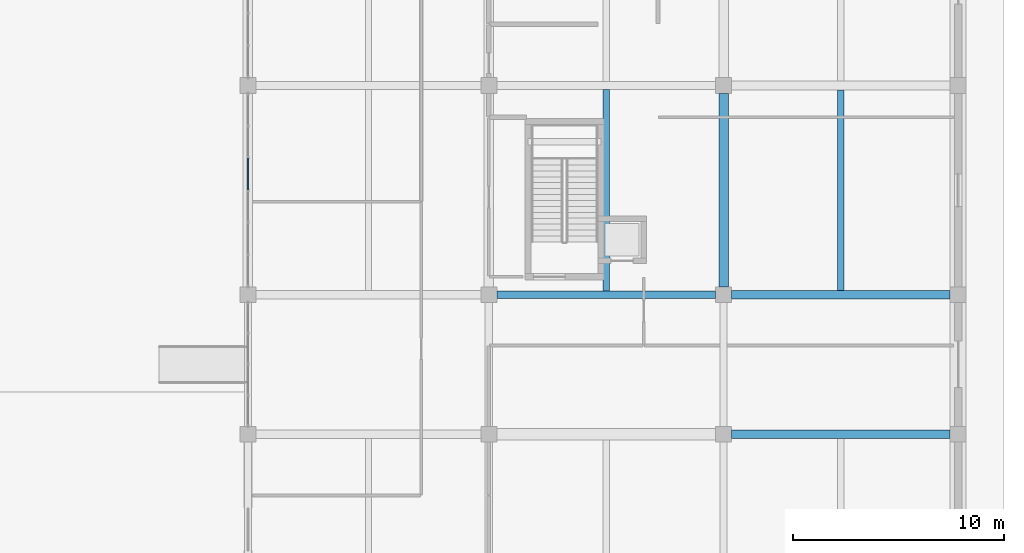
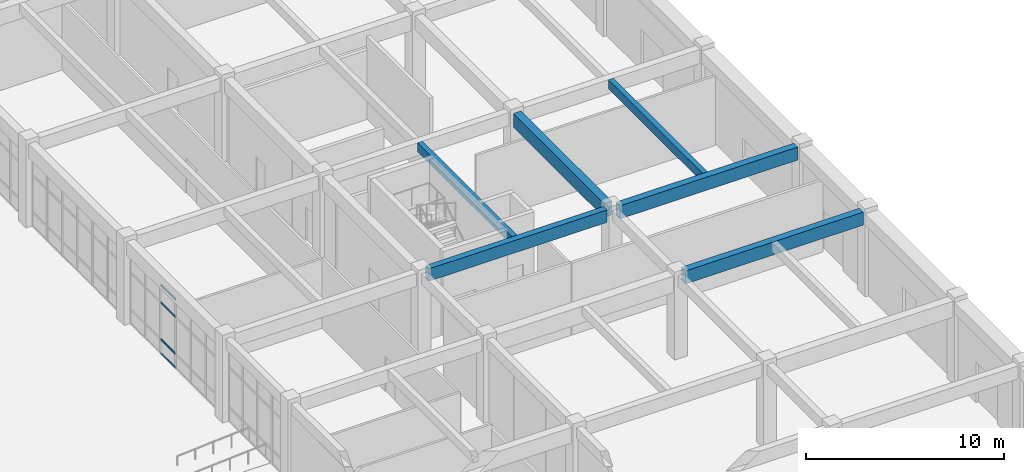
# One storey, part 29 of 70: 6 beams, 4 members, 1 element without a shape of its own.
"""IFC4 building model written with IfcOpenShell, lengths in metres."""

import ifcopenshell
import ifcopenshell.guid

model = None  # the IFC model being written
_history = None  # IfcOwnerHistory: only IFC2X3 demands one
_inside = {}  # id of a spatial element -> (the spatial element, [elements in it])
_under = {}  # id of a project, library or spatial element -> (it, [spatial elements below it])
_declared = {}  # id of a project -> (the project, [libraries it declares])
_typed = {}  # id of a type object -> (the type object, [elements of that type])
_made_of = {}  # id of a material, layer set ... -> (it, [elements and type objects made of it])


def new_model(schema):
    """Start an empty IFC model of exactly this schema.

    Asked for "IFC4X3", IfcOpenShell would pick the latest addendum, in which some entities
    have other attributes; the version numbers below select the first issue.
    IFC2X3 requires an IfcOwnerHistory on every rooted entity: one is made here for all.
    """
    global model, _history
    if schema == "IFC4X3":
        model = ifcopenshell.file(schema_version=(4, 3, 0, 0))
    else:
        model = ifcopenshell.file(schema=schema)
    _inside.clear()
    _under.clear()
    _declared.clear()
    _typed.clear()
    _made_of.clear()
    _history = None
    if model.schema == "IFC2X3":
        org = make("IfcOrganization", Name="unknown")
        user = make(
            "IfcPersonAndOrganization",
            ThePerson=make("IfcPerson", FamilyName="unknown"),
            TheOrganization=org,
        )
        app = make(
            "IfcApplication",
            ApplicationDeveloper=org,
            Version="unknown",
            ApplicationFullName="unknown",
            ApplicationIdentifier="unknown",
        )
        _history = make(
            "IfcOwnerHistory",
            OwningUser=user,
            OwningApplication=app,
            ChangeAction="ADDED",
            CreationDate=0,
        )
    return model


def make(cls, **values):
    """One entity of the class cls with the attributes given. An attribute that is None is left unset."""
    return model.create_entity(
        cls, **{name: value for name, value in values.items() if value is not None}
    )


def rooted(cls, **values):
    """An entity with a GlobalId (a new one), such as an element, a storey or a relation."""
    return make(cls, GlobalId=ifcopenshell.guid.new(), OwnerHistory=_history, **values)


def si_unit(unit_type, name, prefix=None):
    """IfcSIUnit, for example si_unit("LENGTHUNIT", "METRE", prefix="MILLI")."""
    return make("IfcSIUnit", UnitType=unit_type, Prefix=prefix, Name=name)


def assignment(units):
    """IfcUnitAssignment: the units of a project."""
    return None if units is None else make("IfcUnitAssignment", Units=units)


def point(xyz):
    """IfcCartesianPoint."""
    return None if xyz is None else make("IfcCartesianPoint", Coordinates=xyz)


def direction(xyz):
    """IfcDirection."""
    return None if xyz is None else make("IfcDirection", DirectionRatios=xyz)


def frame(location, z_axis=None, x_axis=None):
    """IfcAxis2Placement3D, a coordinate frame: its origin and axes. An axis left out is left unset."""
    return make(
        "IfcAxis2Placement3D",
        Location=point(location),
        Axis=direction(z_axis),
        RefDirection=direction(x_axis),
    )


def frame_2d(location, x_axis=None):
    """IfcAxis2Placement2D, a coordinate frame in the plane: its origin and x axis."""
    return make(
        "IfcAxis2Placement2D", Location=point(location), RefDirection=direction(x_axis)
    )


def origin():
    """The frame at (0, 0, 0) with its axes left unset."""
    return frame((0.0, 0.0, 0.0))


def origin_2d():
    """The frame at (0, 0) in the plane with its x axis left unset."""
    return frame_2d((0.0, 0.0))


def place(relative_to, where):
    """IfcLocalPlacement: puts the frame where relative to a parent placement (None: the world)."""
    return make(
        "IfcLocalPlacement", PlacementRelTo=relative_to, RelativePlacement=where
    )


def context(
    kind, dimensions, precision=None, world=None, true_north=None, identifier=None
):
    """IfcGeometricRepresentationContext, for example the 3D "Model" context."""
    return make(
        "IfcGeometricRepresentationContext",
        ContextIdentifier=identifier,
        ContextType=kind,
        CoordinateSpaceDimension=dimensions,
        Precision=precision,
        WorldCoordinateSystem=world,
        TrueNorth=true_north,
    )


def subcontext(parent, identifier, kind, view, scale=None):
    """IfcGeometricRepresentationSubContext, for example "Body" below "Model"."""
    return make(
        "IfcGeometricRepresentationSubContext",
        ContextIdentifier=identifier,
        ContextType=kind,
        ParentContext=parent,
        TargetScale=scale,
        TargetView=view,
    )


def project(units=None, contexts=None):
    """IfcProject with its units and contexts."""
    return rooted(
        "IfcProject",
        Name="project",
        RepresentationContexts=contexts,
        UnitsInContext=assignment(units),
    )


def spatial(cls, under=None, at=None, **own):
    """A site, building, storey or space (cls), placed at a placement, below another one or the project."""
    s = rooted(cls, ObjectPlacement=at, **own)
    if under is not None:
        _under.setdefault(under.id(), (under, []))[1].append(s)
    return s


def profile(cls, at=None, kind="AREA", **sizes):
    """A parametric profile (cls). Its sizes go by their IFC names, for example OverallWidth=200.0."""
    return make(cls, ProfileType=kind, Position=at, **sizes)


def rectangle(**sizes):
    """IfcRectangleProfileDef."""
    return profile("IfcRectangleProfileDef", **sizes)


def extrude(swept, where, along, depth):
    """IfcExtrudedAreaSolid: the profile swept, set in the frame where, extruded along a direction by depth."""
    return make(
        "IfcExtrudedAreaSolid",
        SweptArea=swept,
        Position=where,
        ExtrudedDirection=direction(along),
        Depth=depth,
    )


def shape(context_of_items, identifier, shape_type, items):
    """IfcShapeRepresentation: the items that make up one representation, for example the "Body"."""
    return make(
        "IfcShapeRepresentation",
        ContextOfItems=context_of_items,
        RepresentationIdentifier=identifier,
        RepresentationType=shape_type,
        Items=items,
    )


def material(Name=None, Category=None):
    """IfcMaterial."""
    return make("IfcMaterial", Name=Name, Category=Category)


def layer(
    of_material, thickness, ventilated=None, Name=None, Category=None, Priority=None
):
    """IfcMaterialLayer: one layer of a wall or slab, of a material (None: an air gap)."""
    return make(
        "IfcMaterialLayer",
        Material=of_material,
        LayerThickness=thickness,
        IsVentilated=ventilated,
        Name=Name,
        Category=Category,
        Priority=Priority,
    )


def layer_set(layers, Name=None):
    """IfcMaterialLayerSet."""
    return make("IfcMaterialLayerSet", MaterialLayers=layers, LayerSetName=Name)


def material_profile(
    of_material, cross_section, Name=None, Category=None, Priority=None
):
    """IfcMaterialProfile: a cross section and its material."""
    return make(
        "IfcMaterialProfile",
        Name=Name,
        Material=of_material,
        Profile=cross_section,
        Priority=Priority,
        Category=Category,
    )


def profile_set(profiles, Name=None, composite=None):
    """IfcMaterialProfileSet."""
    return make(
        "IfcMaterialProfileSet",
        Name=Name,
        MaterialProfiles=profiles,
        CompositeProfile=composite,
    )


def made_of(thing, what):
    """Note that an element or type object is made of a material, layer set ...; save() writes the relation."""
    if what is not None:
        _made_of.setdefault(what.id(), (what, []))[1].append(thing)
    return thing


def type_object(cls, material=None, **own):
    """A type object (cls), such as IfcWallType, which elements share."""
    return made_of(rooted(cls, **own), material)


def element(
    cls,
    number,
    at=None,
    inside=None,
    cuts=None,
    type_object=None,
    material=None,
    context=None,
    identifier="Body",
    shape_type=None,
    held_by="IfcProductDefinitionShape",
    body=None,
    shapes=None,
    **own,
):
    """One element of the class cls, such as IfcWall. Its Tag is "e" and its number.

    at: its placement. inside: the storey or other place that contains it. cuts: it is an
    opening in that element (IfcRelVoidsElement). A single representation is given by context,
    identifier, shape_type and body (its items); several are given by shapes. held_by: the class
    of the entity that holds the representations. save() writes the other relations.
    """
    e = rooted(cls, Tag="e%d" % number, ObjectPlacement=at, **own)
    if body is not None:
        shapes = [shape(context, identifier, shape_type, body)]
    if shapes is not None:
        e.Representation = make(held_by, Representations=shapes)
    if inside is not None:
        _inside.setdefault(inside.id(), (inside, []))[1].append(e)
    if cuts is not None:
        rooted(
            "IfcRelVoidsElement", RelatingBuildingElement=cuts, RelatedOpeningElement=e
        )
    if type_object is not None:
        _typed.setdefault(type_object.id(), (type_object, []))[1].append(e)
    return made_of(e, material)


def aggregate(whole, parts):
    """IfcRelAggregates: a whole, such as a stair, and the parts it consists of."""
    return rooted("IfcRelAggregates", RelatingObject=whole, RelatedObjects=parts)


def save(model, path):
    """Write the relations noted so far, then the file.

    IfcRelAggregates (storeys below a building ...), IfcRelContainedInSpatialStructure (elements
    in a storey), IfcRelDefinesByType, IfcRelAssociatesMaterial and IfcRelDeclares: one each for
    every whole, place, type object, material and project.
    """
    for whole, parts in _under.values():
        aggregate(whole, parts)
    for where, things in _inside.values():
        rooted(
            "IfcRelContainedInSpatialStructure",
            RelatedElements=things,
            RelatingStructure=where,
        )
    for kind, things in _typed.values():
        rooted("IfcRelDefinesByType", RelatedObjects=things, RelatingType=kind)
    for what, things in _made_of.values():
        rooted("IfcRelAssociatesMaterial", RelatedObjects=things, RelatingMaterial=what)
    for by, libraries in _declared.values():
        rooted("IfcRelDeclares", RelatingContext=by, RelatedDefinitions=libraries)
    model.write(path)


model = new_model("IFC4")

# Units and contexts
model_context = context("Model", 3, precision=1e-05, world=origin(), true_north=direction((0.0, 1.0)))
body_context = subcontext(model_context, "Body", "Model", "MODEL_VIEW")
ifc_project = project(units=[si_unit("LENGTHUNIT", "METRE"), si_unit("AREAUNIT", "SQUARE_METRE"), si_unit("VOLUMEUNIT", "CUBIC_METRE"), si_unit("PLANEANGLEUNIT", "RADIAN"), si_unit("MASSUNIT", "GRAM", prefix="KILO")], contexts=[model_context])

# Site, building, storey
site_placement = place(None, origin())
site = spatial("IfcSite", under=ifc_project, at=site_placement, CompositionType="ELEMENT")
building_placement = place(site_placement, origin())
building = spatial("IfcBuilding", under=site, at=building_placement, Name="Miralva Faculty of Natural Sciences", CompositionType="ELEMENT")
storey_placement = place(building_placement, origin())
storey = spatial("IfcBuildingStorey", under=building, at=storey_placement, Name="L00", CompositionType="ELEMENT", Elevation=0.0)

# Beams
ifc_material_1 = material(Name="Concrete C40/50", Category="concrete")
ifc_material_profile_1 = material_profile(ifc_material_1, rectangle(XDim=0.449951171875, YDim=0.85009765625, at=origin_2d()), Name="RC 450x850")
ifc_profile_set_1 = profile_set([ifc_material_profile_1], Name="Concrete C40/50")
beam_type_1 = type_object("IfcBeamType", Name="BM-B01", PredefinedType="BEAM", material=ifc_profile_set_1)
beam_1_placement = place(storey_placement, frame((156.300048828125, 45.97509765625, 4.695068359375), z_axis=(0.0, 1.0, 0.0), x_axis=(-1.0, 0.0, 0.0)))
element("IfcBeam", 1, at=beam_1_placement, inside=storey, type_object=beam_type_1, Name="Girder NS L00-203", PredefinedType="BEAM", context=body_context, shape_type="SweptSolid", body=[
    extrude(rectangle(XDim=0.449951171875, YDim=0.85009765625, at=origin_2d()), origin(), (0.0, 0.0, 1.0), 9.14990234375),
])
ifc_material_profile_2 = material_profile(ifc_material_1, rectangle(XDim=0.39990234375, YDim=0.800048828125, at=origin_2d()), Name="RC 400x800")
ifc_profile_set_2 = profile_set([ifc_material_profile_2], Name="Concrete C40/50")
beam_type_2 = type_object("IfcBeamType", Name="BM-B02", PredefinedType="BEAM", material=ifc_profile_set_2)
for number, where, z_axis, x_axis, name in (
    (2, (156.675048828125, 39.0, 4.719970703125), (1.0, 0.0, 0.0), (0.0, 1.0, 0.0), "Girder EW L00-44"),
    (3, (156.675048828125, 45.60009765625, 4.719970703125), (1.0, 0.0, 0.0), (0.0, 1.0, 0.0), "Girder EW L00-50"),
):
    element("IfcBeam", number, at=place(storey_placement, frame(where, z_axis=z_axis, x_axis=x_axis)), inside=storey, type_object=beam_type_2, Name=name, PredefinedType="BEAM", context=body_context, shape_type="SweptSolid", body=[
        extrude(rectangle(XDim=0.39990234375, YDim=0.800048828125, at=origin_2d()), origin(), (0.0, 0.0, 1.0), 10.349853515625),
    ])
ifc_material_profile_3 = material_profile(ifc_material_1, rectangle(XDim=0.360107421875, YDim=0.760009765625, at=origin_2d()), Name="RC 360x760")
ifc_profile_set_3 = profile_set([ifc_material_profile_3], Name="Concrete C40/50")
beam_type_3 = type_object("IfcBeamType", Name="BM-BG06", PredefinedType="BEAM", material=ifc_profile_set_3)
beam_2_placement = place(storey_placement, frame((145.574951171875, 45.60009765625, 4.739990234375), z_axis=(1.0, 0.0, 0.0), x_axis=(0.0, 1.0, 0.0)))
element("IfcBeam", 4, at=beam_2_placement, inside=storey, type_object=beam_type_3, Name="Girder EW L00-49", PredefinedType="BEAM", context=body_context, shape_type="SweptSolid", body=[
    extrude(rectangle(XDim=0.360107421875, YDim=0.760009765625, at=origin_2d()), origin(), (0.0, 0.0, 1.0), 10.35009765625),
])
ifc_material_profile_4 = material_profile(ifc_material_1, rectangle(XDim=0.300048828125, YDim=0.550048828125, at=origin_2d()), Name="RC 300x550")
ifc_profile_set_4 = profile_set([ifc_material_profile_4], Name="Concrete C40/50")
beam_type_4 = type_object("IfcBeamType", Name="BM-J02", PredefinedType="JOIST", material=ifc_profile_set_4)
beam_3_placement = place(storey_placement, frame((150.75, 45.780029296875, 4.844970703125), z_axis=(0.0, 1.0, 0.0), x_axis=(-1.0, 0.0, 0.0)))
element("IfcBeam", 5, at=beam_3_placement, inside=storey, type_object=beam_type_4, Name="Floor joist L00-15", PredefinedType="JOIST", context=body_context, shape_type="SweptSolid", body=[
    extrude(rectangle(XDim=0.300048828125, YDim=0.550048828125, at=origin_2d()), origin(), (0.0, 0.0, 1.0), 9.52001953125),
])
beam_4_placement = place(storey_placement, frame((161.85009765625, 45.800048828125, 4.844970703125), z_axis=(0.0, 1.0, 0.0), x_axis=(-1.0, 0.0, 0.0)))
element("IfcBeam", 6, at=beam_4_placement, inside=storey, type_object=beam_type_4, Name="Floor joist L00-16", PredefinedType="JOIST", context=body_context, shape_type="SweptSolid", body=[
    extrude(rectangle(XDim=0.300048828125, YDim=0.550048828125, at=origin_2d()), origin(), (0.0, 0.0, 1.0), 9.489990234375),
])

# Curtain wall, members
ifc_material_2 = material(Name="Laminated solar-control glass", Category="glass")
ifc_layer = layer(ifc_material_2, 0.179931640625, Name="CW-COM-L00")
ifc_layer_set = layer_set([ifc_layer], Name="Laminated solar-control glass")
curtain_wall_type = type_object("IfcCurtainWallType", Name="CW-COM-L00", PredefinedType="USERDEFINED", material=ifc_layer_set)
curtain_wall_placement = place(storey_placement, origin())
curtain_wall = element("IfcCurtainWall", 7, at=curtain_wall_placement, inside=storey, type_object=curtain_wall_type, Name="Curtain wall CW-09 L00-258", ObjectType="UNITISED CURTAIN WALL", PredefinedType="USERDEFINED")
ifc_material_3 = material(Name="Anodised aluminium", Category="aluminium")
ifc_material_profile_5 = material_profile(ifc_material_3, rectangle(XDim=0.06005859375, YDim=0.1201171875, at=origin_2d()), Name="TRANSOM 60x120")
ifc_profile_set_5 = profile_set([ifc_material_profile_5], Name="Anodised aluminium")
member_type = type_object("IfcMemberType", Name="CW-T02", PredefinedType="USERDEFINED", material=ifc_profile_set_5)
member_1_placement = place(storey_placement, frame((133.800048828125, 50.580078125, 0.030029296875), z_axis=(0.0, 1.0, 0.0), x_axis=(-1.0, 0.0, 0.0)))
member_1 = element("IfcMember", 8, at=member_1_placement, type_object=member_type, Name="CW-09 transom 4.1", ObjectType="TRANSOM", PredefinedType="USERDEFINED", context=body_context, shape_type="SweptSolid", body=[
    extrude(rectangle(XDim=0.06005859375, YDim=0.1201171875, at=origin_2d()), origin(), (0.0, 0.0, 1.0), 1.46826171875),
])
member_2_placement = place(storey_placement, frame((133.800048828125, 50.580078125, 0.89990234375), z_axis=(0.0, 1.0, 0.0), x_axis=(-1.0, 0.0, 0.0)))
member_2 = element("IfcMember", 9, at=member_2_placement, type_object=member_type, Name="CW-09 transom 4.2", ObjectType="TRANSOM", PredefinedType="USERDEFINED", context=body_context, shape_type="SweptSolid", body=[
    extrude(rectangle(XDim=0.06005859375, YDim=0.1201171875, at=origin_2d()), origin(), (0.0, 0.0, 1.0), 1.46826171875),
])
member_3_placement = place(storey_placement, frame((133.800048828125, 50.580078125, 3.1650390625), z_axis=(0.0, 1.0, 0.0), x_axis=(-1.0, 0.0, 0.0)))
member_3 = element("IfcMember", 10, at=member_3_placement, type_object=member_type, Name="CW-09 transom 4.3", ObjectType="TRANSOM", PredefinedType="USERDEFINED", context=body_context, shape_type="SweptSolid", body=[
    extrude(rectangle(XDim=0.06005859375, YDim=0.1201171875, at=origin_2d()), origin(), (0.0, 0.0, 1.0), 1.46826171875),
])
member_4_placement = place(storey_placement, frame((133.800048828125, 50.580078125, 4.235107421875), z_axis=(0.0, 1.0, 0.0), x_axis=(-1.0, 0.0, 0.0)))
member_4 = element("IfcMember", 11, at=member_4_placement, type_object=member_type, Name="CW-09 transom 4.4", ObjectType="TRANSOM", PredefinedType="USERDEFINED", context=body_context, shape_type="SweptSolid", body=[
    extrude(rectangle(XDim=0.06005859375, YDim=0.1201171875, at=origin_2d()), origin(), (0.0, 0.0, 1.0), 1.46826171875),
])
aggregate(curtain_wall, [member_1, member_2, member_3, member_4])

save(model, "model.ifc")
